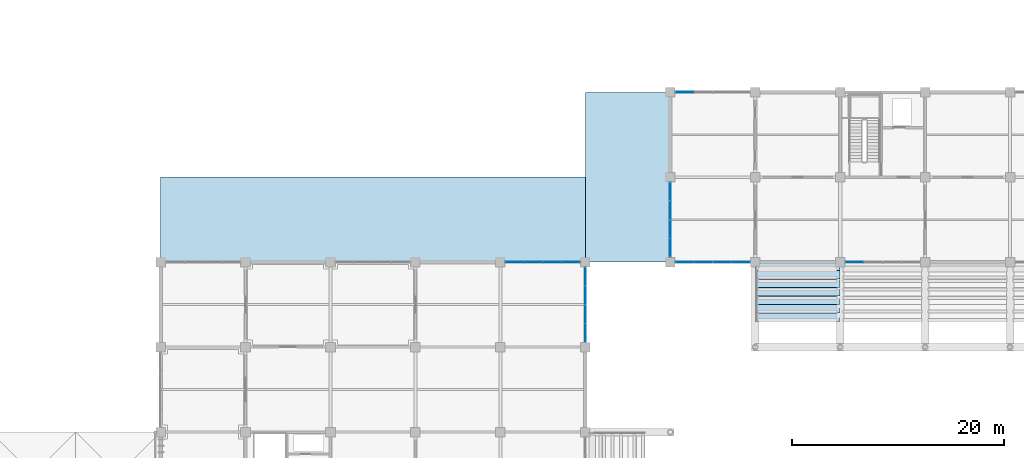
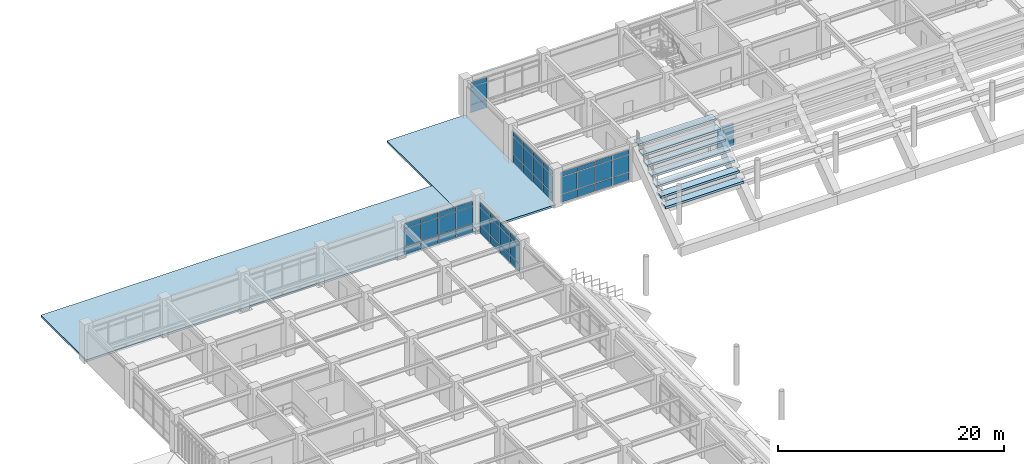
# One storey, part 80 of 118: 53 plates, 9 slabs, 6 elements without a shape of their own.
"""IFC4 building model written with IfcOpenShell, lengths in metres."""

from ifc_helpers import new_model, si_unit, direction, frame, origin, origin_2d, place, context, subcontext, project, spatial, polyline, rectangle, outline, extrude, material, layer, layer_set, type_object, element, aggregate, save


model = new_model("IFC4")

# Units and contexts
model_context = context("Model", 3, precision=1e-05, world=origin(), true_north=direction((0.0, 1.0)))
body_context = subcontext(model_context, "Body", "Model", "MODEL_VIEW")
ifc_project = project(units=[si_unit("LENGTHUNIT", "METRE"), si_unit("AREAUNIT", "SQUARE_METRE"), si_unit("VOLUMEUNIT", "CUBIC_METRE"), si_unit("PLANEANGLEUNIT", "RADIAN"), si_unit("MASSUNIT", "GRAM", prefix="KILO")], contexts=[model_context])

# Site, building, storey
site_placement = place(None, origin())
site = spatial("IfcSite", under=ifc_project, at=site_placement, CompositionType="ELEMENT")
building_placement = place(site_placement, origin())
building = spatial("IfcBuilding", under=site, at=building_placement, Name="Haebicheon Civic Stadium", CompositionType="ELEMENT")
storey_placement = place(building_placement, frame((0.0, 0.0, 14.39990234375)))
storey = spatial("IfcBuildingStorey", under=building, at=storey_placement, Name="L04", CompositionType="ELEMENT", Elevation=14.39990234375)

# Curtain wall, plates
ifc_material_1 = material(Name="Anodised aluminium and laminated glass", Category="aluminium")
ifc_layer_1 = layer(ifc_material_1, 0.179931640625, Name="Anodised aluminium and laminated glass")
ifc_layer_set_1 = layer_set([ifc_layer_1], Name="Anodised aluminium and laminated glass")
curtain_wall_type_1 = type_object("IfcCurtainWallType", Name="CW-7100x3350", PredefinedType="NOTDEFINED", material=ifc_layer_set_1)
curtain_wall_1_placement = place(storey_placement, origin())
curtain_wall_1 = element("IfcCurtainWall", 1, at=curtain_wall_1_placement, inside=storey, type_object=curtain_wall_type_1, material=ifc_layer_set_1, Name="L04 unitised curtain wall 123", PredefinedType="NOTDEFINED")
ifc_material_2 = material(Name="Double low-e acoustic laminated glass", Category="glass")
ifc_layer_2 = layer(ifc_material_2, 0.035888671875, Name="Double low-e acoustic laminated glass")
ifc_layer_set_2 = layer_set([ifc_layer_2], Name="Double low-e acoustic laminated glass")
plate_type_1 = type_object("IfcPlateType", Name="CWP-GLZ-36", PredefinedType="CURTAIN_PANEL", material=ifc_layer_set_2)
plate_1_placement = place(storey_placement, frame((57.35498046875, 152.0, 0.93505859375), z_axis=(0.0, 0.0, 1.0), x_axis=(1.0, 0.0, 0.0)))
plate_1 = element("IfcPlate", 2, at=plate_1_placement, type_object=plate_type_1, material=ifc_layer_set_2, Name="CW-L04-123 vision panel 1.2", PredefinedType="CURTAIN_PANEL", context=body_context, shape_type="SweptSolid", body=[
    extrude(rectangle(XDim=1.669921875, YDim=0.035888671875, at=origin_2d()), origin(), (0.0, 0.0, 1.0), 1.830078125),
])
plate_2_placement = place(storey_placement, frame((59.112060546875, 152.0, 0.93505859375), z_axis=(0.0, 0.0, 1.0), x_axis=(1.0, 0.0, 0.0)))
plate_2 = element("IfcPlate", 3, at=plate_2_placement, type_object=plate_type_1, material=ifc_layer_set_2, Name="CW-L04-123 vision panel 2.2", PredefinedType="CURTAIN_PANEL", context=body_context, shape_type="SweptSolid", body=[
    extrude(rectangle(XDim=1.705078125, YDim=0.035888671875, at=origin_2d()), origin(), (0.0, 0.0, 1.0), 1.830078125),
])
plate_3_placement = place(storey_placement, frame((60.887939453125, 152.0, 0.93505859375), z_axis=(0.0, 0.0, 1.0), x_axis=(1.0, 0.0, 0.0)))
plate_3 = element("IfcPlate", 4, at=plate_3_placement, type_object=plate_type_1, material=ifc_layer_set_2, Name="CW-L04-123 vision panel 3.2", PredefinedType="CURTAIN_PANEL", context=body_context, shape_type="SweptSolid", body=[
    extrude(rectangle(XDim=1.705078125, YDim=0.035888671875, at=origin_2d()), origin(), (0.0, 0.0, 1.0), 1.830078125),
])
plate_4_placement = place(storey_placement, frame((62.64501953125, 152.0, 0.93505859375), z_axis=(0.0, 0.0, 1.0), x_axis=(1.0, 0.0, 0.0)))
plate_4 = element("IfcPlate", 5, at=plate_4_placement, type_object=plate_type_1, material=ifc_layer_set_2, Name="CW-L04-123 vision panel 4.2", PredefinedType="CURTAIN_PANEL", context=body_context, shape_type="SweptSolid", body=[
    extrude(rectangle(XDim=1.669921875, YDim=0.035888671875, at=origin_2d()), origin(), (0.0, 0.0, 1.0), 1.830078125),
])

curtain_wall_2_placement = place(storey_placement, origin())
curtain_wall_2 = element("IfcCurtainWall", 6, at=curtain_wall_2_placement, inside=storey, type_object=curtain_wall_type_1, material=ifc_layer_set_1, Name="L04 unitised curtain wall 124", PredefinedType="NOTDEFINED")
plate_5_placement = place(storey_placement, frame((64.0, 145.35498046875, 0.93505859375), z_axis=(0.0, 0.0, 1.0), x_axis=(0.0, 1.0, 0.0)))
plate_5 = element("IfcPlate", 7, at=plate_5_placement, type_object=plate_type_1, material=ifc_layer_set_2, Name="CW-L04-124 vision panel 1.2", PredefinedType="CURTAIN_PANEL", context=body_context, shape_type="SweptSolid", body=[
    extrude(rectangle(XDim=1.669921875, YDim=0.035888671875, at=origin_2d()), origin(), (0.0, 0.0, 1.0), 1.830078125),
])
plate_6_placement = place(storey_placement, frame((64.0, 147.112060546875, 0.93505859375), z_axis=(0.0, 0.0, 1.0), x_axis=(0.0, 1.0, 0.0)))
plate_6 = element("IfcPlate", 8, at=plate_6_placement, type_object=plate_type_1, material=ifc_layer_set_2, Name="CW-L04-124 vision panel 2.2", PredefinedType="CURTAIN_PANEL", context=body_context, shape_type="SweptSolid", body=[
    extrude(rectangle(XDim=1.705078125, YDim=0.035888671875, at=origin_2d()), origin(), (0.0, 0.0, 1.0), 1.830078125),
])
plate_7_placement = place(storey_placement, frame((64.0, 148.887939453125, 0.93505859375), z_axis=(0.0, 0.0, 1.0), x_axis=(0.0, 1.0, 0.0)))
plate_7 = element("IfcPlate", 9, at=plate_7_placement, type_object=plate_type_1, material=ifc_layer_set_2, Name="CW-L04-124 vision panel 3.2", PredefinedType="CURTAIN_PANEL", context=body_context, shape_type="SweptSolid", body=[
    extrude(rectangle(XDim=1.705078125, YDim=0.035888671875, at=origin_2d()), origin(), (0.0, 0.0, 1.0), 1.830078125),
])
plate_8_placement = place(storey_placement, frame((64.0, 150.64501953125, 0.93505859375), z_axis=(0.0, 0.0, 1.0), x_axis=(0.0, 1.0, 0.0)))
plate_8 = element("IfcPlate", 10, at=plate_8_placement, type_object=plate_type_1, material=ifc_layer_set_2, Name="CW-L04-124 vision panel 4.2", PredefinedType="CURTAIN_PANEL", context=body_context, shape_type="SweptSolid", body=[
    extrude(rectangle(XDim=1.669921875, YDim=0.035888671875, at=origin_2d()), origin(), (0.0, 0.0, 1.0), 1.830078125),
])

ifc_material_3 = material(Name="Anodised aluminium and laminated glass", Category="aluminium")
ifc_layer_3 = layer(ifc_material_3, 0.179931640625, Name="Anodised aluminium and laminated glass")
ifc_layer_set_3 = layer_set([ifc_layer_3], Name="Anodised aluminium and laminated glass")
curtain_wall_type_2 = type_object("IfcCurtainWallType", Name="CW-7100x3330", PredefinedType="NOTDEFINED", material=ifc_layer_set_3)
curtain_wall_3_placement = place(storey_placement, origin())
curtain_wall_3 = element("IfcCurtainWall", 11, at=curtain_wall_3_placement, inside=storey, type_object=curtain_wall_type_2, material=ifc_layer_set_3, Name="L04 unitised curtain wall 126", PredefinedType="NOTDEFINED")
plate_9_placement = place(storey_placement, frame((73.35498046875, 152.0, 0.93505859375), z_axis=(0.0, 0.0, 1.0), x_axis=(1.0, 0.0, 0.0)))
plate_9 = element("IfcPlate", 12, at=plate_9_placement, type_object=plate_type_1, material=ifc_layer_set_2, Name="CW-L04-126 vision panel 1.2", PredefinedType="CURTAIN_PANEL", context=body_context, shape_type="SweptSolid", body=[
    extrude(rectangle(XDim=1.669921875, YDim=0.035888671875, at=origin_2d()), origin(), (0.0, 0.0, 1.0), 1.81005859375),
])
plate_10_placement = place(storey_placement, frame((75.112060546875, 152.0, 0.93505859375), z_axis=(0.0, 0.0, 1.0), x_axis=(1.0, 0.0, 0.0)))
plate_10 = element("IfcPlate", 13, at=plate_10_placement, type_object=plate_type_1, material=ifc_layer_set_2, Name="CW-L04-126 vision panel 2.2", PredefinedType="CURTAIN_PANEL", context=body_context, shape_type="SweptSolid", body=[
    extrude(rectangle(XDim=1.705078125, YDim=0.035888671875, at=origin_2d()), origin(), (0.0, 0.0, 1.0), 1.81005859375),
])
plate_11_placement = place(storey_placement, frame((76.887939453125, 152.0, 0.93505859375), z_axis=(0.0, 0.0, 1.0), x_axis=(1.0, 0.0, 0.0)))
plate_11 = element("IfcPlate", 14, at=plate_11_placement, type_object=plate_type_1, material=ifc_layer_set_2, Name="CW-L04-126 vision panel 3.2", PredefinedType="CURTAIN_PANEL", context=body_context, shape_type="SweptSolid", body=[
    extrude(rectangle(XDim=1.705078125, YDim=0.035888671875, at=origin_2d()), origin(), (0.0, 0.0, 1.0), 1.81005859375),
])
plate_12_placement = place(storey_placement, frame((78.64501953125, 152.0, 0.93505859375), z_axis=(0.0, 0.0, 1.0), x_axis=(1.0, 0.0, 0.0)))
plate_12 = element("IfcPlate", 15, at=plate_12_placement, type_object=plate_type_1, material=ifc_layer_set_2, Name="CW-L04-126 vision panel 4.2", PredefinedType="CURTAIN_PANEL", context=body_context, shape_type="SweptSolid", body=[
    extrude(rectangle(XDim=1.669921875, YDim=0.035888671875, at=origin_2d()), origin(), (0.0, 0.0, 1.0), 1.81005859375),
])

curtain_wall_4_placement = place(storey_placement, origin())
curtain_wall_4 = element("IfcCurtainWall", 16, at=curtain_wall_4_placement, inside=storey, type_object=curtain_wall_type_1, material=ifc_layer_set_1, Name="L04 unitised curtain wall 127", PredefinedType="NOTDEFINED")
plate_13_placement = place(storey_placement, frame((72.0, 153.35498046875, 0.93505859375), z_axis=(0.0, 0.0, 1.0), x_axis=(0.0, 1.0, 0.0)))
plate_13 = element("IfcPlate", 17, at=plate_13_placement, type_object=plate_type_1, material=ifc_layer_set_2, Name="CW-L04-127 vision panel 1.2", PredefinedType="CURTAIN_PANEL", context=body_context, shape_type="SweptSolid", body=[
    extrude(rectangle(XDim=1.669921875, YDim=0.035888671875, at=origin_2d()), origin(), (0.0, 0.0, 1.0), 1.830078125),
])
plate_14_placement = place(storey_placement, frame((72.0, 155.112060546875, 0.93505859375), z_axis=(0.0, 0.0, 1.0), x_axis=(0.0, 1.0, 0.0)))
plate_14 = element("IfcPlate", 18, at=plate_14_placement, type_object=plate_type_1, material=ifc_layer_set_2, Name="CW-L04-127 vision panel 2.2", PredefinedType="CURTAIN_PANEL", context=body_context, shape_type="SweptSolid", body=[
    extrude(rectangle(XDim=1.705078125, YDim=0.035888671875, at=origin_2d()), origin(), (0.0, 0.0, 1.0), 1.830078125),
])
plate_15_placement = place(storey_placement, frame((72.0, 156.887939453125, 0.93505859375), z_axis=(0.0, 0.0, 1.0), x_axis=(0.0, 1.0, 0.0)))
plate_15 = element("IfcPlate", 19, at=plate_15_placement, type_object=plate_type_1, material=ifc_layer_set_2, Name="CW-L04-127 vision panel 3.2", PredefinedType="CURTAIN_PANEL", context=body_context, shape_type="SweptSolid", body=[
    extrude(rectangle(XDim=1.705078125, YDim=0.035888671875, at=origin_2d()), origin(), (0.0, 0.0, 1.0), 1.830078125),
])
plate_16_placement = place(storey_placement, frame((72.0, 158.64501953125, 0.93505859375), z_axis=(0.0, 0.0, 1.0), x_axis=(0.0, 1.0, 0.0)))
plate_16 = element("IfcPlate", 20, at=plate_16_placement, type_object=plate_type_1, material=ifc_layer_set_2, Name="CW-L04-127 vision panel 4.2", PredefinedType="CURTAIN_PANEL", context=body_context, shape_type="SweptSolid", body=[
    extrude(rectangle(XDim=1.669921875, YDim=0.035888671875, at=origin_2d()), origin(), (0.0, 0.0, 1.0), 1.830078125),
])

# Curtain wall, plate
curtain_wall_5_placement = place(storey_placement, origin())
curtain_wall_5 = element("IfcCurtainWall", 21, at=curtain_wall_5_placement, inside=storey, type_object=curtain_wall_type_2, material=ifc_layer_set_3, Name="L04 unitised curtain wall 128", PredefinedType="NOTDEFINED")
plate_17_placement = place(storey_placement, frame((73.35498046875, 168.0, 0.93505859375), z_axis=(0.0, 0.0, 1.0), x_axis=(1.0, 0.0, 0.0)))
plate_17 = element("IfcPlate", 22, at=plate_17_placement, type_object=plate_type_1, material=ifc_layer_set_2, Name="CW-L04-128 vision panel 1.2", PredefinedType="CURTAIN_PANEL", context=body_context, shape_type="SweptSolid", body=[
    extrude(rectangle(XDim=1.669921875, YDim=0.035888671875, at=origin_2d()), origin(), (0.0, 0.0, 1.0), 1.81005859375),
])

ifc_material_4 = material(Name="Anodised aluminium and laminated glass", Category="aluminium")
ifc_layer_4 = layer(ifc_material_4, 0.179931640625, Name="Anodised aluminium and laminated glass")
ifc_layer_set_4 = layer_set([ifc_layer_4], Name="Anodised aluminium and laminated glass")
curtain_wall_type_3 = type_object("IfcCurtainWallType", Name="CW-7100x3100", PredefinedType="NOTDEFINED", material=ifc_layer_set_4)
curtain_wall_6_placement = place(storey_placement, origin())
curtain_wall_6 = element("IfcCurtainWall", 23, at=curtain_wall_6_placement, inside=storey, type_object=curtain_wall_type_3, material=ifc_layer_set_4, Name="L04 unitised curtain wall 131", PredefinedType="NOTDEFINED")
plate_18_placement = place(storey_placement, frame((89.35498046875, 152.0, 0.93505859375), z_axis=(0.0, 0.0, 1.0), x_axis=(1.0, 0.0, 0.0)))
plate_18 = element("IfcPlate", 24, at=plate_18_placement, type_object=plate_type_1, material=ifc_layer_set_2, Name="CW-L04-131 vision panel 1.2", PredefinedType="CURTAIN_PANEL", context=body_context, shape_type="SweptSolid", body=[
    extrude(rectangle(XDim=1.669921875, YDim=0.035888671875, at=origin_2d()), origin(), (0.0, 0.0, 1.0), 1.580078125),
])

# Plate
ifc_material_5 = material(Name="Anodised aluminium 6063-T6", Category="aluminium")
ifc_layer_5 = layer(ifc_material_5, 0.053955078125, Name="Anodised aluminium 6063-T6")
ifc_layer_set_5 = layer_set([ifc_layer_5], Name="Anodised aluminium 6063-T6")
plate_type_2 = type_object("IfcPlateType", Name="CWP-SPD-54", PredefinedType="CURTAIN_PANEL", material=ifc_layer_set_5)
plate_19_placement = place(storey_placement, frame((57.35498046875, 152.0, 0.03515625), z_axis=(0.0, 0.0, 1.0), x_axis=(1.0, 0.0, 0.0)))
plate_19 = element("IfcPlate", 25, at=plate_19_placement, type_object=plate_type_2, material=ifc_layer_set_5, Name="CW-L04-123 spandrel panel 1.1", PredefinedType="CURTAIN_PANEL", context=body_context, shape_type="SweptSolid", body=[
    extrude(rectangle(XDim=1.669921875, YDim=0.053955078125, at=origin_2d()), origin(), (0.0, 0.0, 1.0), 0.830078125),
])

plate_20_placement = place(storey_placement, frame((57.35498046875, 152.0, 2.835205078125), z_axis=(0.0, 0.0, 1.0), x_axis=(1.0, 0.0, 0.0)))
plate_20 = element("IfcPlate", 26, at=plate_20_placement, type_object=plate_type_2, material=ifc_layer_set_5, Name="CW-L04-123 spandrel panel 1.3", PredefinedType="CURTAIN_PANEL", context=body_context, shape_type="SweptSolid", body=[
    extrude(rectangle(XDim=1.669921875, YDim=0.053955078125, at=origin_2d()), origin(), (0.0, 0.0, 1.0), 0.47998046875),
])

plate_21_placement = place(storey_placement, frame((59.112060546875, 152.0, 0.03515625), z_axis=(0.0, 0.0, 1.0), x_axis=(1.0, 0.0, 0.0)))
plate_21 = element("IfcPlate", 27, at=plate_21_placement, type_object=plate_type_2, material=ifc_layer_set_5, Name="CW-L04-123 spandrel panel 2.1", PredefinedType="CURTAIN_PANEL", context=body_context, shape_type="SweptSolid", body=[
    extrude(rectangle(XDim=1.705078125, YDim=0.053955078125, at=origin_2d()), origin(), (0.0, 0.0, 1.0), 0.830078125),
])

plate_22_placement = place(storey_placement, frame((59.112060546875, 152.0, 2.835205078125), z_axis=(0.0, 0.0, 1.0), x_axis=(1.0, 0.0, 0.0)))
plate_22 = element("IfcPlate", 28, at=plate_22_placement, type_object=plate_type_2, material=ifc_layer_set_5, Name="CW-L04-123 spandrel panel 2.3", PredefinedType="CURTAIN_PANEL", context=body_context, shape_type="SweptSolid", body=[
    extrude(rectangle(XDim=1.705078125, YDim=0.053955078125, at=origin_2d()), origin(), (0.0, 0.0, 1.0), 0.47998046875),
])

plate_23_placement = place(storey_placement, frame((60.887939453125, 152.0, 0.03515625), z_axis=(0.0, 0.0, 1.0), x_axis=(1.0, 0.0, 0.0)))
plate_23 = element("IfcPlate", 29, at=plate_23_placement, type_object=plate_type_2, material=ifc_layer_set_5, Name="CW-L04-123 spandrel panel 3.1", PredefinedType="CURTAIN_PANEL", context=body_context, shape_type="SweptSolid", body=[
    extrude(rectangle(XDim=1.705078125, YDim=0.053955078125, at=origin_2d()), origin(), (0.0, 0.0, 1.0), 0.830078125),
])

plate_24_placement = place(storey_placement, frame((60.887939453125, 152.0, 2.835205078125), z_axis=(0.0, 0.0, 1.0), x_axis=(1.0, 0.0, 0.0)))
plate_24 = element("IfcPlate", 30, at=plate_24_placement, type_object=plate_type_2, material=ifc_layer_set_5, Name="CW-L04-123 spandrel panel 3.3", PredefinedType="CURTAIN_PANEL", context=body_context, shape_type="SweptSolid", body=[
    extrude(rectangle(XDim=1.705078125, YDim=0.053955078125, at=origin_2d()), origin(), (0.0, 0.0, 1.0), 0.47998046875),
])

plate_25_placement = place(storey_placement, frame((62.64501953125, 152.0, 0.03515625), z_axis=(0.0, 0.0, 1.0), x_axis=(1.0, 0.0, 0.0)))
plate_25 = element("IfcPlate", 31, at=plate_25_placement, type_object=plate_type_2, material=ifc_layer_set_5, Name="CW-L04-123 spandrel panel 4.1", PredefinedType="CURTAIN_PANEL", context=body_context, shape_type="SweptSolid", body=[
    extrude(rectangle(XDim=1.669921875, YDim=0.053955078125, at=origin_2d()), origin(), (0.0, 0.0, 1.0), 0.830078125),
])

plate_26_placement = place(storey_placement, frame((62.64501953125, 152.0, 2.835205078125), z_axis=(0.0, 0.0, 1.0), x_axis=(1.0, 0.0, 0.0)))
plate_26 = element("IfcPlate", 32, at=plate_26_placement, type_object=plate_type_2, material=ifc_layer_set_5, Name="CW-L04-123 spandrel panel 4.3", PredefinedType="CURTAIN_PANEL", context=body_context, shape_type="SweptSolid", body=[
    extrude(rectangle(XDim=1.669921875, YDim=0.053955078125, at=origin_2d()), origin(), (0.0, 0.0, 1.0), 0.47998046875),
])

aggregate(curtain_wall_1, [plate_19, plate_1, plate_20, plate_21, plate_2, plate_22, plate_23, plate_3, plate_24, plate_25, plate_4, plate_26])

plate_27_placement = place(storey_placement, frame((64.0, 145.35498046875, 0.03515625), z_axis=(0.0, 0.0, 1.0), x_axis=(0.0, 1.0, 0.0)))
plate_27 = element("IfcPlate", 33, at=plate_27_placement, type_object=plate_type_2, material=ifc_layer_set_5, Name="CW-L04-124 spandrel panel 1.1", PredefinedType="CURTAIN_PANEL", context=body_context, shape_type="SweptSolid", body=[
    extrude(rectangle(XDim=1.669921875, YDim=0.053955078125, at=origin_2d()), origin(), (0.0, 0.0, 1.0), 0.830078125),
])

plate_28_placement = place(storey_placement, frame((64.0, 145.35498046875, 2.835205078125), z_axis=(0.0, 0.0, 1.0), x_axis=(0.0, 1.0, 0.0)))
plate_28 = element("IfcPlate", 34, at=plate_28_placement, type_object=plate_type_2, material=ifc_layer_set_5, Name="CW-L04-124 spandrel panel 1.3", PredefinedType="CURTAIN_PANEL", context=body_context, shape_type="SweptSolid", body=[
    extrude(rectangle(XDim=1.669921875, YDim=0.053955078125, at=origin_2d()), origin(), (0.0, 0.0, 1.0), 0.47998046875),
])

plate_29_placement = place(storey_placement, frame((64.0, 147.112060546875, 0.03515625), z_axis=(0.0, 0.0, 1.0), x_axis=(0.0, 1.0, 0.0)))
plate_29 = element("IfcPlate", 35, at=plate_29_placement, type_object=plate_type_2, material=ifc_layer_set_5, Name="CW-L04-124 spandrel panel 2.1", PredefinedType="CURTAIN_PANEL", context=body_context, shape_type="SweptSolid", body=[
    extrude(rectangle(XDim=1.705078125, YDim=0.053955078125, at=origin_2d()), origin(), (0.0, 0.0, 1.0), 0.830078125),
])

plate_30_placement = place(storey_placement, frame((64.0, 147.112060546875, 2.835205078125), z_axis=(0.0, 0.0, 1.0), x_axis=(0.0, 1.0, 0.0)))
plate_30 = element("IfcPlate", 36, at=plate_30_placement, type_object=plate_type_2, material=ifc_layer_set_5, Name="CW-L04-124 spandrel panel 2.3", PredefinedType="CURTAIN_PANEL", context=body_context, shape_type="SweptSolid", body=[
    extrude(rectangle(XDim=1.705078125, YDim=0.053955078125, at=origin_2d()), origin(), (0.0, 0.0, 1.0), 0.47998046875),
])

plate_31_placement = place(storey_placement, frame((64.0, 148.887939453125, 0.03515625), z_axis=(0.0, 0.0, 1.0), x_axis=(0.0, 1.0, 0.0)))
plate_31 = element("IfcPlate", 37, at=plate_31_placement, type_object=plate_type_2, material=ifc_layer_set_5, Name="CW-L04-124 spandrel panel 3.1", PredefinedType="CURTAIN_PANEL", context=body_context, shape_type="SweptSolid", body=[
    extrude(rectangle(XDim=1.705078125, YDim=0.053955078125, at=origin_2d()), origin(), (0.0, 0.0, 1.0), 0.830078125),
])

plate_32_placement = place(storey_placement, frame((64.0, 148.887939453125, 2.835205078125), z_axis=(0.0, 0.0, 1.0), x_axis=(0.0, 1.0, 0.0)))
plate_32 = element("IfcPlate", 38, at=plate_32_placement, type_object=plate_type_2, material=ifc_layer_set_5, Name="CW-L04-124 spandrel panel 3.3", PredefinedType="CURTAIN_PANEL", context=body_context, shape_type="SweptSolid", body=[
    extrude(rectangle(XDim=1.705078125, YDim=0.053955078125, at=origin_2d()), origin(), (0.0, 0.0, 1.0), 0.47998046875),
])

plate_33_placement = place(storey_placement, frame((64.0, 150.64501953125, 0.03515625), z_axis=(0.0, 0.0, 1.0), x_axis=(0.0, 1.0, 0.0)))
plate_33 = element("IfcPlate", 39, at=plate_33_placement, type_object=plate_type_2, material=ifc_layer_set_5, Name="CW-L04-124 spandrel panel 4.1", PredefinedType="CURTAIN_PANEL", context=body_context, shape_type="SweptSolid", body=[
    extrude(rectangle(XDim=1.669921875, YDim=0.053955078125, at=origin_2d()), origin(), (0.0, 0.0, 1.0), 0.830078125),
])

plate_34_placement = place(storey_placement, frame((64.0, 150.64501953125, 2.835205078125), z_axis=(0.0, 0.0, 1.0), x_axis=(0.0, 1.0, 0.0)))
plate_34 = element("IfcPlate", 40, at=plate_34_placement, type_object=plate_type_2, material=ifc_layer_set_5, Name="CW-L04-124 spandrel panel 4.3", PredefinedType="CURTAIN_PANEL", context=body_context, shape_type="SweptSolid", body=[
    extrude(rectangle(XDim=1.669921875, YDim=0.053955078125, at=origin_2d()), origin(), (0.0, 0.0, 1.0), 0.47998046875),
])

aggregate(curtain_wall_2, [plate_27, plate_5, plate_28, plate_29, plate_6, plate_30, plate_31, plate_7, plate_32, plate_33, plate_8, plate_34])

plate_35_placement = place(storey_placement, frame((73.35498046875, 152.0, 0.03515625), z_axis=(0.0, 0.0, 1.0), x_axis=(1.0, 0.0, 0.0)))
plate_35 = element("IfcPlate", 41, at=plate_35_placement, type_object=plate_type_2, material=ifc_layer_set_5, Name="CW-L04-126 spandrel panel 1.1", PredefinedType="CURTAIN_PANEL", context=body_context, shape_type="SweptSolid", body=[
    extrude(rectangle(XDim=1.669921875, YDim=0.053955078125, at=origin_2d()), origin(), (0.0, 0.0, 1.0), 0.830078125),
])

plate_36_placement = place(storey_placement, frame((73.35498046875, 152.0, 2.815185546875), z_axis=(0.0, 0.0, 1.0), x_axis=(1.0, 0.0, 0.0)))
plate_36 = element("IfcPlate", 42, at=plate_36_placement, type_object=plate_type_2, material=ifc_layer_set_5, Name="CW-L04-126 spandrel panel 1.3", PredefinedType="CURTAIN_PANEL", context=body_context, shape_type="SweptSolid", body=[
    extrude(rectangle(XDim=1.669921875, YDim=0.053955078125, at=origin_2d()), origin(), (0.0, 0.0, 1.0), 0.47998046875),
])

plate_37_placement = place(storey_placement, frame((75.112060546875, 152.0, 0.03515625), z_axis=(0.0, 0.0, 1.0), x_axis=(1.0, 0.0, 0.0)))
plate_37 = element("IfcPlate", 43, at=plate_37_placement, type_object=plate_type_2, material=ifc_layer_set_5, Name="CW-L04-126 spandrel panel 2.1", PredefinedType="CURTAIN_PANEL", context=body_context, shape_type="SweptSolid", body=[
    extrude(rectangle(XDim=1.705078125, YDim=0.053955078125, at=origin_2d()), origin(), (0.0, 0.0, 1.0), 0.830078125),
])

plate_38_placement = place(storey_placement, frame((75.112060546875, 152.0, 2.815185546875), z_axis=(0.0, 0.0, 1.0), x_axis=(1.0, 0.0, 0.0)))
plate_38 = element("IfcPlate", 44, at=plate_38_placement, type_object=plate_type_2, material=ifc_layer_set_5, Name="CW-L04-126 spandrel panel 2.3", PredefinedType="CURTAIN_PANEL", context=body_context, shape_type="SweptSolid", body=[
    extrude(rectangle(XDim=1.705078125, YDim=0.053955078125, at=origin_2d()), origin(), (0.0, 0.0, 1.0), 0.47998046875),
])

plate_39_placement = place(storey_placement, frame((76.887939453125, 152.0, 0.03515625), z_axis=(0.0, 0.0, 1.0), x_axis=(1.0, 0.0, 0.0)))
plate_39 = element("IfcPlate", 45, at=plate_39_placement, type_object=plate_type_2, material=ifc_layer_set_5, Name="CW-L04-126 spandrel panel 3.1", PredefinedType="CURTAIN_PANEL", context=body_context, shape_type="SweptSolid", body=[
    extrude(rectangle(XDim=1.705078125, YDim=0.053955078125, at=origin_2d()), origin(), (0.0, 0.0, 1.0), 0.830078125),
])

plate_40_placement = place(storey_placement, frame((76.887939453125, 152.0, 2.815185546875), z_axis=(0.0, 0.0, 1.0), x_axis=(1.0, 0.0, 0.0)))
plate_40 = element("IfcPlate", 46, at=plate_40_placement, type_object=plate_type_2, material=ifc_layer_set_5, Name="CW-L04-126 spandrel panel 3.3", PredefinedType="CURTAIN_PANEL", context=body_context, shape_type="SweptSolid", body=[
    extrude(rectangle(XDim=1.705078125, YDim=0.053955078125, at=origin_2d()), origin(), (0.0, 0.0, 1.0), 0.47998046875),
])

plate_41_placement = place(storey_placement, frame((78.64501953125, 152.0, 0.03515625), z_axis=(0.0, 0.0, 1.0), x_axis=(1.0, 0.0, 0.0)))
plate_41 = element("IfcPlate", 47, at=plate_41_placement, type_object=plate_type_2, material=ifc_layer_set_5, Name="CW-L04-126 spandrel panel 4.1", PredefinedType="CURTAIN_PANEL", context=body_context, shape_type="SweptSolid", body=[
    extrude(rectangle(XDim=1.669921875, YDim=0.053955078125, at=origin_2d()), origin(), (0.0, 0.0, 1.0), 0.830078125),
])

plate_42_placement = place(storey_placement, frame((78.64501953125, 152.0, 2.815185546875), z_axis=(0.0, 0.0, 1.0), x_axis=(1.0, 0.0, 0.0)))
plate_42 = element("IfcPlate", 48, at=plate_42_placement, type_object=plate_type_2, material=ifc_layer_set_5, Name="CW-L04-126 spandrel panel 4.3", PredefinedType="CURTAIN_PANEL", context=body_context, shape_type="SweptSolid", body=[
    extrude(rectangle(XDim=1.669921875, YDim=0.053955078125, at=origin_2d()), origin(), (0.0, 0.0, 1.0), 0.47998046875),
])

aggregate(curtain_wall_3, [plate_35, plate_9, plate_36, plate_37, plate_10, plate_38, plate_39, plate_11, plate_40, plate_41, plate_12, plate_42])

plate_43_placement = place(storey_placement, frame((72.0, 153.35498046875, 0.03515625), z_axis=(0.0, 0.0, 1.0), x_axis=(0.0, 1.0, 0.0)))
plate_43 = element("IfcPlate", 49, at=plate_43_placement, type_object=plate_type_2, material=ifc_layer_set_5, Name="CW-L04-127 spandrel panel 1.1", PredefinedType="CURTAIN_PANEL", context=body_context, shape_type="SweptSolid", body=[
    extrude(rectangle(XDim=1.669921875, YDim=0.053955078125, at=origin_2d()), origin(), (0.0, 0.0, 1.0), 0.830078125),
])

plate_44_placement = place(storey_placement, frame((72.0, 153.35498046875, 2.835205078125), z_axis=(0.0, 0.0, 1.0), x_axis=(0.0, 1.0, 0.0)))
plate_44 = element("IfcPlate", 50, at=plate_44_placement, type_object=plate_type_2, material=ifc_layer_set_5, Name="CW-L04-127 spandrel panel 1.3", PredefinedType="CURTAIN_PANEL", context=body_context, shape_type="SweptSolid", body=[
    extrude(rectangle(XDim=1.669921875, YDim=0.053955078125, at=origin_2d()), origin(), (0.0, 0.0, 1.0), 0.47998046875),
])

plate_45_placement = place(storey_placement, frame((72.0, 155.112060546875, 0.03515625), z_axis=(0.0, 0.0, 1.0), x_axis=(0.0, 1.0, 0.0)))
plate_45 = element("IfcPlate", 51, at=plate_45_placement, type_object=plate_type_2, material=ifc_layer_set_5, Name="CW-L04-127 spandrel panel 2.1", PredefinedType="CURTAIN_PANEL", context=body_context, shape_type="SweptSolid", body=[
    extrude(rectangle(XDim=1.705078125, YDim=0.053955078125, at=origin_2d()), origin(), (0.0, 0.0, 1.0), 0.830078125),
])

plate_46_placement = place(storey_placement, frame((72.0, 155.112060546875, 2.835205078125), z_axis=(0.0, 0.0, 1.0), x_axis=(0.0, 1.0, 0.0)))
plate_46 = element("IfcPlate", 52, at=plate_46_placement, type_object=plate_type_2, material=ifc_layer_set_5, Name="CW-L04-127 spandrel panel 2.3", PredefinedType="CURTAIN_PANEL", context=body_context, shape_type="SweptSolid", body=[
    extrude(rectangle(XDim=1.705078125, YDim=0.053955078125, at=origin_2d()), origin(), (0.0, 0.0, 1.0), 0.47998046875),
])

plate_47_placement = place(storey_placement, frame((72.0, 156.887939453125, 0.03515625), z_axis=(0.0, 0.0, 1.0), x_axis=(0.0, 1.0, 0.0)))
plate_47 = element("IfcPlate", 53, at=plate_47_placement, type_object=plate_type_2, material=ifc_layer_set_5, Name="CW-L04-127 spandrel panel 3.1", PredefinedType="CURTAIN_PANEL", context=body_context, shape_type="SweptSolid", body=[
    extrude(rectangle(XDim=1.705078125, YDim=0.053955078125, at=origin_2d()), origin(), (0.0, 0.0, 1.0), 0.830078125),
])

plate_48_placement = place(storey_placement, frame((72.0, 156.887939453125, 2.835205078125), z_axis=(0.0, 0.0, 1.0), x_axis=(0.0, 1.0, 0.0)))
plate_48 = element("IfcPlate", 54, at=plate_48_placement, type_object=plate_type_2, material=ifc_layer_set_5, Name="CW-L04-127 spandrel panel 3.3", PredefinedType="CURTAIN_PANEL", context=body_context, shape_type="SweptSolid", body=[
    extrude(rectangle(XDim=1.705078125, YDim=0.053955078125, at=origin_2d()), origin(), (0.0, 0.0, 1.0), 0.47998046875),
])

plate_49_placement = place(storey_placement, frame((72.0, 158.64501953125, 0.03515625), z_axis=(0.0, 0.0, 1.0), x_axis=(0.0, 1.0, 0.0)))
plate_49 = element("IfcPlate", 55, at=plate_49_placement, type_object=plate_type_2, material=ifc_layer_set_5, Name="CW-L04-127 spandrel panel 4.1", PredefinedType="CURTAIN_PANEL", context=body_context, shape_type="SweptSolid", body=[
    extrude(rectangle(XDim=1.669921875, YDim=0.053955078125, at=origin_2d()), origin(), (0.0, 0.0, 1.0), 0.830078125),
])

plate_50_placement = place(storey_placement, frame((72.0, 158.64501953125, 2.835205078125), z_axis=(0.0, 0.0, 1.0), x_axis=(0.0, 1.0, 0.0)))
plate_50 = element("IfcPlate", 56, at=plate_50_placement, type_object=plate_type_2, material=ifc_layer_set_5, Name="CW-L04-127 spandrel panel 4.3", PredefinedType="CURTAIN_PANEL", context=body_context, shape_type="SweptSolid", body=[
    extrude(rectangle(XDim=1.669921875, YDim=0.053955078125, at=origin_2d()), origin(), (0.0, 0.0, 1.0), 0.47998046875),
])

aggregate(curtain_wall_4, [plate_43, plate_13, plate_44, plate_45, plate_14, plate_46, plate_47, plate_15, plate_48, plate_49, plate_16, plate_50])

plate_51_placement = place(storey_placement, frame((73.35498046875, 168.0, 0.03515625), z_axis=(0.0, 0.0, 1.0), x_axis=(1.0, 0.0, 0.0)))
plate_51 = element("IfcPlate", 57, at=plate_51_placement, type_object=plate_type_2, material=ifc_layer_set_5, Name="CW-L04-128 spandrel panel 1.1", PredefinedType="CURTAIN_PANEL", context=body_context, shape_type="SweptSolid", body=[
    extrude(rectangle(XDim=1.669921875, YDim=0.053955078125, at=origin_2d()), origin(), (0.0, 0.0, 1.0), 0.830078125),
])

plate_52_placement = place(storey_placement, frame((73.35498046875, 168.0, 2.815185546875), z_axis=(0.0, 0.0, 1.0), x_axis=(1.0, 0.0, 0.0)))
plate_52 = element("IfcPlate", 58, at=plate_52_placement, type_object=plate_type_2, material=ifc_layer_set_5, Name="CW-L04-128 spandrel panel 1.3", PredefinedType="CURTAIN_PANEL", context=body_context, shape_type="SweptSolid", body=[
    extrude(rectangle(XDim=1.669921875, YDim=0.053955078125, at=origin_2d()), origin(), (0.0, 0.0, 1.0), 0.47998046875),
])

aggregate(curtain_wall_5, [plate_51, plate_17, plate_52])

plate_53_placement = place(storey_placement, frame((89.35498046875, 152.0, 0.03515625), z_axis=(0.0, 0.0, 1.0), x_axis=(1.0, 0.0, 0.0)))
plate_53 = element("IfcPlate", 59, at=plate_53_placement, type_object=plate_type_2, material=ifc_layer_set_5, Name="CW-L04-131 spandrel panel 1.1", PredefinedType="CURTAIN_PANEL", context=body_context, shape_type="SweptSolid", body=[
    extrude(rectangle(XDim=1.669921875, YDim=0.053955078125, at=origin_2d()), origin(), (0.0, 0.0, 1.0), 0.830078125),
])

aggregate(curtain_wall_6, [plate_53, plate_18])

# Slabs
ifc_material_6 = material(Name="Concrete C40/50", Category="concrete")
ifc_layer_6 = layer(ifc_material_6, 0.219970703125, Name="Concrete C40/50")
ifc_layer_set_6 = layer_set([ifc_layer_6], Name="Concrete C40/50")
slab_type_1 = type_object("IfcSlabType", Name="SLB-ROOF-220", PredefinedType="ROOF", material=ifc_layer_set_6)
slab_1_placement = place(storey_placement, frame((0.0, 0.0, -0.219970703125)))
element("IfcSlab", 60, at=slab_1_placement, inside=storey, type_object=slab_type_1, material=ifc_layer_set_6, Name="L04 V1 roof deck slab 1", PredefinedType="ROOF", context=body_context, shape_type="SweptSolid", body=[
    extrude(outline(polyline([(24.0, 160.0), (64.0, 160.0), (64.0, 152.0), (24.0, 152.0), (24.0, 160.0)])), origin(), (0.0, 0.0, 1.0), 0.219970703125),
])
slab_2_placement = place(storey_placement, frame((0.0, 0.0, -0.219970703125)))
element("IfcSlab", 61, at=slab_2_placement, inside=storey, type_object=slab_type_1, material=ifc_layer_set_6, Name="L04 V2 roof deck slab 2", PredefinedType="ROOF", context=body_context, shape_type="SweptSolid", body=[
    extrude(outline(polyline([(72.0, 168.0), (72.0, 152.0), (64.0, 152.0), (64.0, 168.0), (72.0, 168.0)])), origin(), (0.0, 0.0, 1.0), 0.219970703125),
])
ifc_material_7 = material(Name="Precast concrete C40/50", Category="concrete")
ifc_layer_7 = layer(ifc_material_7, 0.239990234375, Name="Precast concrete C40/50")
ifc_layer_set_7 = layer_set([ifc_layer_7], Name="Precast concrete C40/50")
slab_type_2 = type_object("IfcSlabType", Name="SLB-TIER-240", PredefinedType="USERDEFINED", material=ifc_layer_set_7)
slab_3_placement = place(storey_placement, frame((0.0, 0.0, 0.093017578125)))
element("IfcSlab", 62, at=slab_3_placement, inside=storey, type_object=slab_type_2, material=ifc_layer_set_7, Name="TIER-N-U precast seating tier bay 1 row-band 4", ObjectType="SEATING TIER", PredefinedType="USERDEFINED", context=body_context, shape_type="SweptSolid", body=[
    extrude(outline(polyline([(80.0, 146.39990234375), (88.0, 146.39990234375), (88.0, 147.199951171875), (80.0, 147.199951171875), (80.0, 146.39990234375)])), origin(), (0.0, 0.0, 1.0), 0.239990234375),
])
slab_4_placement = place(storey_placement, frame((0.0, 0.0, 0.738037109375)))
element("IfcSlab", 63, at=slab_4_placement, inside=storey, type_object=slab_type_2, material=ifc_layer_set_7, Name="TIER-N-U precast seating tier bay 1 row-band 5", ObjectType="SEATING TIER", PredefinedType="USERDEFINED", context=body_context, shape_type="SweptSolid", body=[
    extrude(outline(polyline([(80.0, 147.199951171875), (88.0, 147.199951171875), (88.0, 148.0), (80.0, 148.0), (80.0, 147.199951171875)])), origin(), (0.0, 0.0, 1.0), 0.239990234375),
])
slab_5_placement = place(storey_placement, frame((0.0, 0.0, 1.382080078125)))
element("IfcSlab", 64, at=slab_5_placement, inside=storey, type_object=slab_type_2, material=ifc_layer_set_7, Name="TIER-N-U precast seating tier bay 1 row-band 6", ObjectType="SEATING TIER", PredefinedType="USERDEFINED", context=body_context, shape_type="SweptSolid", body=[
    extrude(outline(polyline([(80.0, 148.0), (88.0, 148.0), (88.0, 148.800048828125), (80.0, 148.800048828125), (80.0, 148.0)])), origin(), (0.0, 0.0, 1.0), 0.239990234375),
])
slab_6_placement = place(storey_placement, frame((0.0, 0.0, 2.027099609375)))
element("IfcSlab", 65, at=slab_6_placement, inside=storey, type_object=slab_type_2, material=ifc_layer_set_7, Name="TIER-N-U precast seating tier bay 1 row-band 7", ObjectType="SEATING TIER", PredefinedType="USERDEFINED", context=body_context, shape_type="SweptSolid", body=[
    extrude(outline(polyline([(80.0, 148.800048828125), (88.0, 148.800048828125), (88.0, 149.60009765625), (80.0, 149.60009765625), (80.0, 148.800048828125)])), origin(), (0.0, 0.0, 1.0), 0.239990234375),
])
slab_7_placement = place(storey_placement, frame((0.0, 0.0, 2.671142578125)))
element("IfcSlab", 66, at=slab_7_placement, inside=storey, type_object=slab_type_2, material=ifc_layer_set_7, Name="TIER-N-U precast seating tier bay 1 row-band 8", ObjectType="SEATING TIER", PredefinedType="USERDEFINED", context=body_context, shape_type="SweptSolid", body=[
    extrude(outline(polyline([(80.0, 149.60009765625), (88.0, 149.60009765625), (88.0, 150.39990234375), (80.0, 150.39990234375), (80.0, 149.60009765625)])), origin(), (0.0, 0.0, 1.0), 0.239990234375),
])
slab_8_placement = place(storey_placement, frame((0.0, 0.0, 3.316162109375)))
element("IfcSlab", 67, at=slab_8_placement, inside=storey, type_object=slab_type_2, material=ifc_layer_set_7, Name="TIER-N-U precast seating tier bay 1 row-band 9", ObjectType="SEATING TIER", PredefinedType="USERDEFINED", context=body_context, shape_type="SweptSolid", body=[
    extrude(outline(polyline([(80.0, 150.39990234375), (88.0, 150.39990234375), (88.0, 151.199951171875), (80.0, 151.199951171875), (80.0, 150.39990234375)])), origin(), (0.0, 0.0, 1.0), 0.239990234375),
])
slab_9_placement = place(storey_placement, frame((0.0, 0.0, 3.960205078125)))
element("IfcSlab", 68, at=slab_9_placement, inside=storey, type_object=slab_type_2, material=ifc_layer_set_7, Name="TIER-N-U precast seating tier bay 1 row-band 10", ObjectType="SEATING TIER", PredefinedType="USERDEFINED", context=body_context, shape_type="SweptSolid", body=[
    extrude(outline(polyline([(80.0, 151.199951171875), (88.0, 151.199951171875), (88.0, 152.0), (80.0, 152.0), (80.0, 151.199951171875)])), origin(), (0.0, 0.0, 1.0), 0.239990234375),
])

save(model, "model.ifc")
